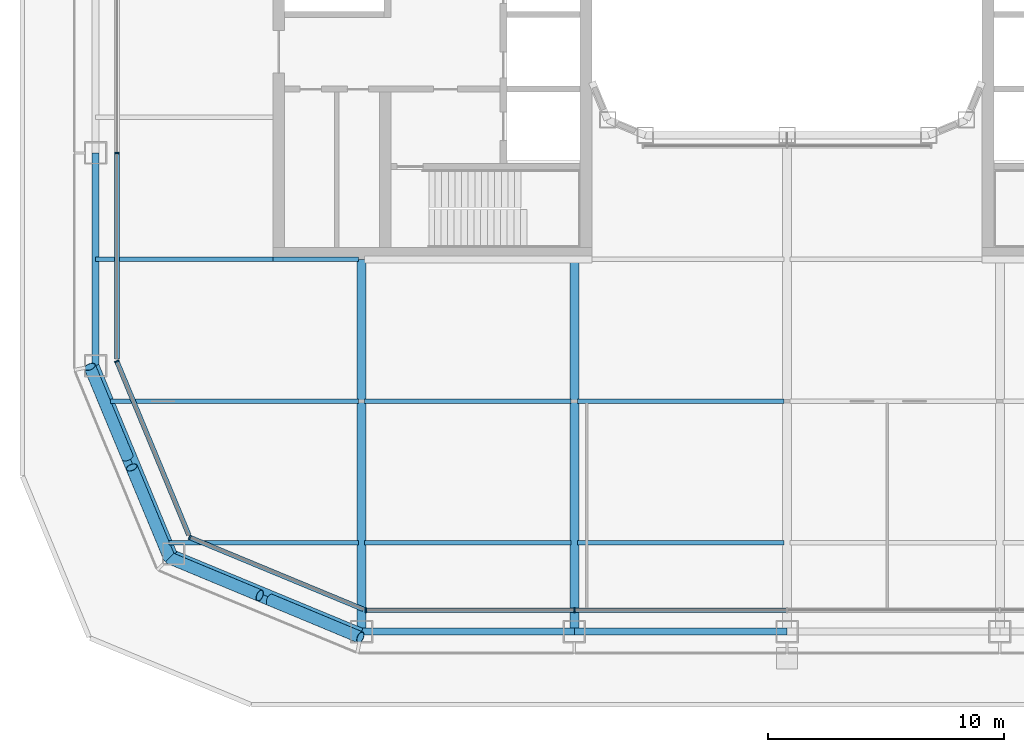
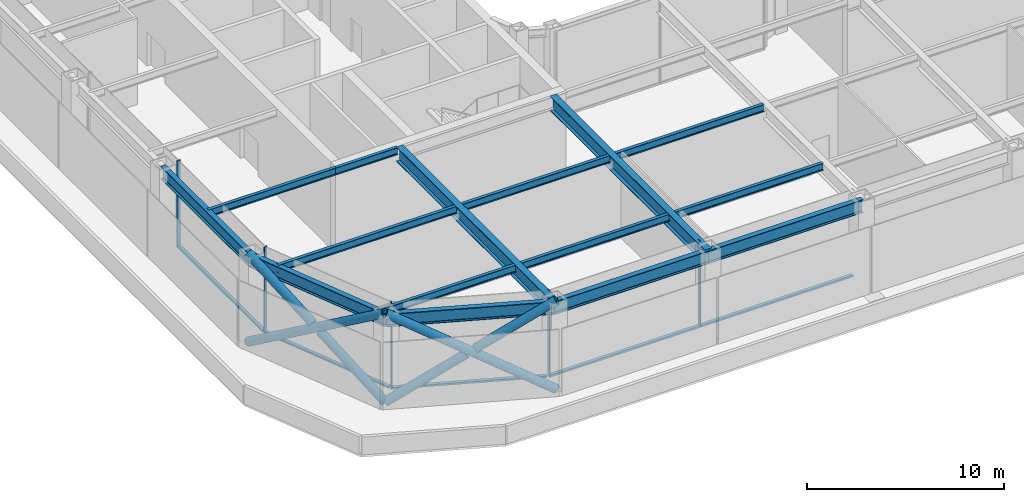
# One storey, part 2 of 21: 16 members, 15 beams, 4 elements without a shape of their own.
"""IFC4 building model written with IfcOpenShell, lengths in metres."""

import ifcopenshell
import ifcopenshell.guid

model = None  # the IFC model being written
_history = None  # IfcOwnerHistory: only IFC2X3 demands one
_inside = {}  # id of a spatial element -> (the spatial element, [elements in it])
_under = {}  # id of a project, library or spatial element -> (it, [spatial elements below it])
_declared = {}  # id of a project -> (the project, [libraries it declares])
_typed = {}  # id of a type object -> (the type object, [elements of that type])
_made_of = {}  # id of a material, layer set ... -> (it, [elements and type objects made of it])


def new_model(schema):
    """Start an empty IFC model of exactly this schema.

    Asked for "IFC4X3", IfcOpenShell would pick the latest addendum, in which some entities
    have other attributes; the version numbers below select the first issue.
    IFC2X3 requires an IfcOwnerHistory on every rooted entity: one is made here for all.
    """
    global model, _history
    if schema == "IFC4X3":
        model = ifcopenshell.file(schema_version=(4, 3, 0, 0))
    else:
        model = ifcopenshell.file(schema=schema)
    _inside.clear()
    _under.clear()
    _declared.clear()
    _typed.clear()
    _made_of.clear()
    _history = None
    if model.schema == "IFC2X3":
        org = make("IfcOrganization", Name="unknown")
        user = make(
            "IfcPersonAndOrganization",
            ThePerson=make("IfcPerson", FamilyName="unknown"),
            TheOrganization=org,
        )
        app = make(
            "IfcApplication",
            ApplicationDeveloper=org,
            Version="unknown",
            ApplicationFullName="unknown",
            ApplicationIdentifier="unknown",
        )
        _history = make(
            "IfcOwnerHistory",
            OwningUser=user,
            OwningApplication=app,
            ChangeAction="ADDED",
            CreationDate=0,
        )
    return model


def make(cls, **values):
    """One entity of the class cls with the attributes given. An attribute that is None is left unset."""
    return model.create_entity(
        cls, **{name: value for name, value in values.items() if value is not None}
    )


def rooted(cls, **values):
    """An entity with a GlobalId (a new one), such as an element, a storey or a relation."""
    return make(cls, GlobalId=ifcopenshell.guid.new(), OwnerHistory=_history, **values)


def si_unit(unit_type, name, prefix=None):
    """IfcSIUnit, for example si_unit("LENGTHUNIT", "METRE", prefix="MILLI")."""
    return make("IfcSIUnit", UnitType=unit_type, Prefix=prefix, Name=name)


def assignment(units):
    """IfcUnitAssignment: the units of a project."""
    return None if units is None else make("IfcUnitAssignment", Units=units)


def point(xyz):
    """IfcCartesianPoint."""
    return None if xyz is None else make("IfcCartesianPoint", Coordinates=xyz)


def direction(xyz):
    """IfcDirection."""
    return None if xyz is None else make("IfcDirection", DirectionRatios=xyz)


def frame(location, z_axis=None, x_axis=None):
    """IfcAxis2Placement3D, a coordinate frame: its origin and axes. An axis left out is left unset."""
    return make(
        "IfcAxis2Placement3D",
        Location=point(location),
        Axis=direction(z_axis),
        RefDirection=direction(x_axis),
    )


def frame_2d(location, x_axis=None):
    """IfcAxis2Placement2D, a coordinate frame in the plane: its origin and x axis."""
    return make(
        "IfcAxis2Placement2D", Location=point(location), RefDirection=direction(x_axis)
    )


def origin():
    """The frame at (0, 0, 0) with its axes left unset."""
    return frame((0.0, 0.0, 0.0))


def origin_2d():
    """The frame at (0, 0) in the plane with its x axis left unset."""
    return frame_2d((0.0, 0.0))


def place(relative_to, where):
    """IfcLocalPlacement: puts the frame where relative to a parent placement (None: the world)."""
    return make(
        "IfcLocalPlacement", PlacementRelTo=relative_to, RelativePlacement=where
    )


def context(
    kind, dimensions, precision=None, world=None, true_north=None, identifier=None
):
    """IfcGeometricRepresentationContext, for example the 3D "Model" context."""
    return make(
        "IfcGeometricRepresentationContext",
        ContextIdentifier=identifier,
        ContextType=kind,
        CoordinateSpaceDimension=dimensions,
        Precision=precision,
        WorldCoordinateSystem=world,
        TrueNorth=true_north,
    )


def subcontext(parent, identifier, kind, view, scale=None):
    """IfcGeometricRepresentationSubContext, for example "Body" below "Model"."""
    return make(
        "IfcGeometricRepresentationSubContext",
        ContextIdentifier=identifier,
        ContextType=kind,
        ParentContext=parent,
        TargetScale=scale,
        TargetView=view,
    )


def project(units=None, contexts=None):
    """IfcProject with its units and contexts."""
    return rooted(
        "IfcProject",
        Name="project",
        RepresentationContexts=contexts,
        UnitsInContext=assignment(units),
    )


def spatial(cls, under=None, at=None, **own):
    """A site, building, storey or space (cls), placed at a placement, below another one or the project."""
    s = rooted(cls, ObjectPlacement=at, **own)
    if under is not None:
        _under.setdefault(under.id(), (under, []))[1].append(s)
    return s


def profile(cls, at=None, kind="AREA", **sizes):
    """A parametric profile (cls). Its sizes go by their IFC names, for example OverallWidth=200.0."""
    return make(cls, ProfileType=kind, Position=at, **sizes)


def rectangle(**sizes):
    """IfcRectangleProfileDef."""
    return profile("IfcRectangleProfileDef", **sizes)


def hollow_circle(**sizes):
    """IfcCircleHollowProfileDef."""
    return profile("IfcCircleHollowProfileDef", **sizes)


def i_section(**sizes):
    """IfcIShapeProfileDef."""
    return profile("IfcIShapeProfileDef", **sizes)


def extrude(swept, where, along, depth):
    """IfcExtrudedAreaSolid: the profile swept, set in the frame where, extruded along a direction by depth."""
    return make(
        "IfcExtrudedAreaSolid",
        SweptArea=swept,
        Position=where,
        ExtrudedDirection=direction(along),
        Depth=depth,
    )


def shape(context_of_items, identifier, shape_type, items):
    """IfcShapeRepresentation: the items that make up one representation, for example the "Body"."""
    return make(
        "IfcShapeRepresentation",
        ContextOfItems=context_of_items,
        RepresentationIdentifier=identifier,
        RepresentationType=shape_type,
        Items=items,
    )


def material(Name=None, Category=None):
    """IfcMaterial."""
    return make("IfcMaterial", Name=Name, Category=Category)


def layer(
    of_material, thickness, ventilated=None, Name=None, Category=None, Priority=None
):
    """IfcMaterialLayer: one layer of a wall or slab, of a material (None: an air gap)."""
    return make(
        "IfcMaterialLayer",
        Material=of_material,
        LayerThickness=thickness,
        IsVentilated=ventilated,
        Name=Name,
        Category=Category,
        Priority=Priority,
    )


def layer_set(layers, Name=None):
    """IfcMaterialLayerSet."""
    return make("IfcMaterialLayerSet", MaterialLayers=layers, LayerSetName=Name)


def material_profile(
    of_material, cross_section, Name=None, Category=None, Priority=None
):
    """IfcMaterialProfile: a cross section and its material."""
    return make(
        "IfcMaterialProfile",
        Name=Name,
        Material=of_material,
        Profile=cross_section,
        Priority=Priority,
        Category=Category,
    )


def profile_set(profiles, Name=None, composite=None):
    """IfcMaterialProfileSet."""
    return make(
        "IfcMaterialProfileSet",
        Name=Name,
        MaterialProfiles=profiles,
        CompositeProfile=composite,
    )


def made_of(thing, what):
    """Note that an element or type object is made of a material, layer set ...; save() writes the relation."""
    if what is not None:
        _made_of.setdefault(what.id(), (what, []))[1].append(thing)
    return thing


def type_object(cls, material=None, **own):
    """A type object (cls), such as IfcWallType, which elements share."""
    return made_of(rooted(cls, **own), material)


def element(
    cls,
    number,
    at=None,
    inside=None,
    cuts=None,
    type_object=None,
    material=None,
    context=None,
    identifier="Body",
    shape_type=None,
    held_by="IfcProductDefinitionShape",
    body=None,
    shapes=None,
    **own,
):
    """One element of the class cls, such as IfcWall. Its Tag is "e" and its number.

    at: its placement. inside: the storey or other place that contains it. cuts: it is an
    opening in that element (IfcRelVoidsElement). A single representation is given by context,
    identifier, shape_type and body (its items); several are given by shapes. held_by: the class
    of the entity that holds the representations. save() writes the other relations.
    """
    e = rooted(cls, Tag="e%d" % number, ObjectPlacement=at, **own)
    if body is not None:
        shapes = [shape(context, identifier, shape_type, body)]
    if shapes is not None:
        e.Representation = make(held_by, Representations=shapes)
    if inside is not None:
        _inside.setdefault(inside.id(), (inside, []))[1].append(e)
    if cuts is not None:
        rooted(
            "IfcRelVoidsElement", RelatingBuildingElement=cuts, RelatedOpeningElement=e
        )
    if type_object is not None:
        _typed.setdefault(type_object.id(), (type_object, []))[1].append(e)
    return made_of(e, material)


def aggregate(whole, parts):
    """IfcRelAggregates: a whole, such as a stair, and the parts it consists of."""
    return rooted("IfcRelAggregates", RelatingObject=whole, RelatedObjects=parts)


def save(model, path):
    """Write the relations noted so far, then the file.

    IfcRelAggregates (storeys below a building ...), IfcRelContainedInSpatialStructure (elements
    in a storey), IfcRelDefinesByType, IfcRelAssociatesMaterial and IfcRelDeclares: one each for
    every whole, place, type object, material and project.
    """
    for whole, parts in _under.values():
        aggregate(whole, parts)
    for where, things in _inside.values():
        rooted(
            "IfcRelContainedInSpatialStructure",
            RelatedElements=things,
            RelatingStructure=where,
        )
    for kind, things in _typed.values():
        rooted("IfcRelDefinesByType", RelatedObjects=things, RelatingType=kind)
    for what, things in _made_of.values():
        rooted("IfcRelAssociatesMaterial", RelatedObjects=things, RelatingMaterial=what)
    for by, libraries in _declared.values():
        rooted("IfcRelDeclares", RelatingContext=by, RelatedDefinitions=libraries)
    model.write(path)


model = new_model("IFC4")

# Units and contexts
model_context = context("Model", 3, precision=1e-05, world=origin(), true_north=direction((0.0, 1.0)))
body_context = subcontext(model_context, "Body", "Model", "MODEL_VIEW")
ifc_project = project(units=[si_unit("LENGTHUNIT", "METRE"), si_unit("AREAUNIT", "SQUARE_METRE"), si_unit("VOLUMEUNIT", "CUBIC_METRE"), si_unit("PLANEANGLEUNIT", "RADIAN"), si_unit("MASSUNIT", "GRAM", prefix="KILO")], contexts=[model_context])

# Site, building, storey
site_placement = place(None, origin())
site = spatial("IfcSite", under=ifc_project, at=site_placement, CompositionType="ELEMENT")
building_placement = place(site_placement, origin())
building = spatial("IfcBuilding", under=site, at=building_placement, Name="Siwar Civic Tower", CompositionType="ELEMENT")
storey_placement = place(building_placement, frame((0.0, 0.0, 99.199951171875)))
storey = spatial("IfcBuildingStorey", under=building, at=storey_placement, Name="L21", CompositionType="ELEMENT", Elevation=99.199951171875)

# Curtain wall, members
ifc_material_1 = material(Name="Aluminium and glass", Category="aluminium")
ifc_layer_1 = layer(ifc_material_1, 0.199951171875)
ifc_layer_set_1 = layer_set([ifc_layer_1], Name="Aluminium and glass")
curtain_wall_type_1 = type_object("IfcCurtainWallType", Name="ENV-CW-B", PredefinedType="NOTDEFINED", material=ifc_layer_set_1)
curtain_wall_1_placement = place(storey_placement, origin())
curtain_wall_1 = element("IfcCurtainWall", 1, at=curtain_wall_1_placement, inside=storey, type_object=curtain_wall_type_1, Name="Curtain wall B S", PredefinedType="NOTDEFINED")
ifc_material_2 = material(Name="Aluminium 6063-T6", Category="aluminium")
ifc_material_profile_1 = material_profile(ifc_material_2, rectangle(XDim=0.199951171875, YDim=0.06494140625, at=origin_2d()), Name="AL 200x65")
ifc_profile_set_1 = profile_set([ifc_material_profile_1], Name="Aluminium 6063-T6")
member_type_1 = type_object("IfcMemberType", Name="ENV-MULLION-B", PredefinedType="MULLION", material=ifc_profile_set_1)
member_1_placement = place(storey_placement, frame((-17.821044921875, -28.35009765625, 0.0), z_axis=(0.0, 0.0, 1.0), x_axis=(0.0, 1.0, 0.0)))
member_1 = element("IfcMember", 2, at=member_1_placement, type_object=member_type_1, Name="Mullion B S 1", PredefinedType="MULLION", context=body_context, shape_type="SweptSolid", body=[
    extrude(rectangle(XDim=0.199951171875, YDim=0.06494140625, at=origin_2d()), origin(), (0.0, 0.0, 1.0), 5.35009765625),
])
member_2_placement = place(storey_placement, frame((-9.0, -28.35009765625, 0.0), z_axis=(0.0, 0.0, 1.0), x_axis=(0.0, 1.0, 0.0)))
member_2 = element("IfcMember", 3, at=member_2_placement, type_object=member_type_1, Name="Mullion B S 2", PredefinedType="MULLION", context=body_context, shape_type="SweptSolid", body=[
    extrude(rectangle(XDim=0.199951171875, YDim=0.06494140625, at=origin_2d()), origin(), (0.0, 0.0, 1.0), 5.35009765625),
])

# Curtain wall, member
curtain_wall_2_placement = place(storey_placement, origin())
curtain_wall_2 = element("IfcCurtainWall", 4, at=curtain_wall_2_placement, inside=storey, type_object=curtain_wall_type_1, Name="Curtain wall B W", PredefinedType="NOTDEFINED")
member_3_placement = place(storey_placement, frame((-28.35009765625, -9.0, 0.0), z_axis=(0.0, 0.0, 1.0), x_axis=(1.0, 0.0, 0.0)))
member_3 = element("IfcMember", 5, at=member_3_placement, type_object=member_type_1, Name="Mullion B W 4", PredefinedType="MULLION", context=body_context, shape_type="SweptSolid", body=[
    extrude(rectangle(XDim=0.199951171875, YDim=0.06494140625, at=origin_2d()), origin(), (0.0, 0.0, 1.0), 5.35009765625),
])

ifc_material_3 = material(Name="Aluminium clad insulated panel", Category="aluminium")
ifc_layer_2 = layer(ifc_material_3, 0.199951171875)
ifc_layer_set_2 = layer_set([ifc_layer_2], Name="Aluminium clad insulated panel")
curtain_wall_type_2 = type_object("IfcCurtainWallType", Name="ENV-CW-BX", PredefinedType="NOTDEFINED", material=ifc_layer_set_2)
curtain_wall_3_placement = place(storey_placement, origin())
curtain_wall_3 = element("IfcCurtainWall", 6, at=curtain_wall_3_placement, inside=storey, type_object=curtain_wall_type_2, Name="Curtain wall B SW1", PredefinedType="NOTDEFINED")
member_4_placement = place(storey_placement, frame((-28.35009765625, -17.821044921875, 0.0), z_axis=(0.0, 0.0, 1.0), x_axis=(0.923879532511, 0.382683432365, 0.0)))
member_4 = element("IfcMember", 7, at=member_4_placement, type_object=member_type_1, Name="Mullion B SW1 1", PredefinedType="MULLION", context=body_context, shape_type="SweptSolid", body=[
    extrude(rectangle(XDim=0.199951171875, YDim=0.06494140625, at=origin_2d()), origin(), (0.0, 0.0, 1.0), 5.35009765625),
])

curtain_wall_4_placement = place(storey_placement, origin())
curtain_wall_4 = element("IfcCurtainWall", 8, at=curtain_wall_4_placement, inside=storey, type_object=curtain_wall_type_2, Name="Curtain wall B SW2", PredefinedType="NOTDEFINED")
member_5_placement = place(storey_placement, frame((-25.26611328125, -25.26611328125, 0.0), z_axis=(0.0, 0.0, 1.0), x_axis=(0.382683432365, 0.923879532511, 0.0)))
member_5 = element("IfcMember", 9, at=member_5_placement, type_object=member_type_1, Name="Mullion B SW2 1", PredefinedType="MULLION", context=body_context, shape_type="SweptSolid", body=[
    extrude(rectangle(XDim=0.199951171875, YDim=0.06494140625, at=origin_2d()), origin(), (0.0, 0.0, 1.0), 5.35009765625),
])

# Member
ifc_material_4 = material(Name="Aluminium 6063-T6", Category="aluminium")
ifc_material_profile_2 = material_profile(ifc_material_4, rectangle(XDim=0.199951171875, YDim=0.110107421875, at=origin_2d()), Name="AL 200x110")
ifc_profile_set_2 = profile_set([ifc_material_profile_2], Name="Aluminium 6063-T6")
member_type_2 = type_object("IfcMemberType", Name="ENV-TRANSOM-B", PredefinedType="USERDEFINED", material=ifc_profile_set_2)
member_6_placement = place(storey_placement, frame((-17.78857421875, -28.35009765625, 0.054931640625), z_axis=(1.0, 0.0, 0.0), x_axis=(0.0, 1.0, 0.0)))
member_6 = element("IfcMember", 10, at=member_6_placement, type_object=member_type_2, Name="Transom B S 1", ObjectType="TRANSOM", PredefinedType="USERDEFINED", context=body_context, shape_type="SweptSolid", body=[
    extrude(rectangle(XDim=0.199951171875, YDim=0.110107421875, at=origin_2d()), origin(), (0.0, 0.0, 1.0), 8.756103515625),
])

member_7_placement = place(storey_placement, frame((-8.967529296875, -28.35009765625, 0.054931640625), z_axis=(1.0, 0.0, 0.0), x_axis=(0.0, 1.0, 0.0)))
member_7 = element("IfcMember", 11, at=member_7_placement, type_object=member_type_2, Name="Transom B S 2", ObjectType="TRANSOM", PredefinedType="USERDEFINED", context=body_context, shape_type="SweptSolid", body=[
    extrude(rectangle(XDim=0.199951171875, YDim=0.110107421875, at=origin_2d()), origin(), (0.0, 0.0, 1.0), 8.93505859375),
])

aggregate(curtain_wall_1, [member_1, member_2, member_6, member_7])

member_8_placement = place(storey_placement, frame((-28.35009765625, -9.032470703125, 0.054931640625), z_axis=(0.0, -1.0, 0.0), x_axis=(1.0, 0.0, 0.0)))
member_8 = element("IfcMember", 12, at=member_8_placement, type_object=member_type_2, Name="Transom B W 4", ObjectType="TRANSOM", PredefinedType="USERDEFINED", context=body_context, shape_type="SweptSolid", body=[
    extrude(rectangle(XDim=0.199951171875, YDim=0.110107421875, at=origin_2d()), origin(), (0.0, 0.0, 1.0), 8.6748046875),
])

aggregate(curtain_wall_2, [member_3, member_8])

member_9_placement = place(storey_placement, frame((-28.337646484375, -17.85107421875, 0.054931640625), z_axis=(0.382699695651, -0.92387279587, 0.0), x_axis=(0.92387279587, 0.382699695651, 0.0)))
member_9 = element("IfcMember", 13, at=member_9_placement, type_object=member_type_2, Name="Transom B SW1 1", ObjectType="TRANSOM", PredefinedType="USERDEFINED", context=body_context, shape_type="SweptSolid", body=[
    extrude(rectangle(XDim=0.199951171875, YDim=0.110107421875, at=origin_2d()), origin(), (0.0, 0.0, 1.0), 7.912353515625),
])

aggregate(curtain_wall_3, [member_4, member_9])

member_10_placement = place(storey_placement, frame((-25.236083984375, -25.278564453125, 0.054931640625), z_axis=(0.923883705044, -0.382673358825, 0.0), x_axis=(0.382673358825, 0.923883705044, 0.0)))
member_10 = element("IfcMember", 14, at=member_10_placement, type_object=member_type_2, Name="Transom B SW2 1", ObjectType="TRANSOM", PredefinedType="USERDEFINED", context=body_context, shape_type="SweptSolid", body=[
    extrude(rectangle(XDim=0.199951171875, YDim=0.110107421875, at=origin_2d()), origin(), (0.0, 0.0, 1.0), 7.912353515625),
])

aggregate(curtain_wall_4, [member_5, member_10])

# Members
ifc_material_5 = material(Name="Steel S355", Category="steel")
ifc_material_profile_3 = material_profile(ifc_material_5, hollow_circle(Radius=0.25390625, WallThickness=0.02490234375, at=origin_2d()), Name="CHS508x25")
ifc_profile_set_3 = profile_set([ifc_material_profile_3], Name="Steel S355")
member_type_3 = type_object("IfcMemberType", Name="STR-BR-CHS508x25", PredefinedType="BRACE", material=ifc_profile_set_3)
member_11_placement = place(storey_placement, frame((-18.048828125, -29.4951171875, 0.0), z_axis=(-0.781791416726, 0.325297769627, 0.531961974025), x_axis=(-0.384163874976, -0.923264922524, 0.0)))
element("IfcMember", 15, at=member_11_placement, inside=storey, type_object=member_type_3, Name="L21/brc/BSW1-0-0-1", PredefinedType="BRACE", context=body_context, shape_type="SweptSolid", body=[
    extrude(hollow_circle(Radius=0.25390625, WallThickness=0.02490234375, at=origin_2d()), origin(), (0.0, 0.0, 1.0), 10.339111328125),
])
member_12_placement = place(storey_placement, frame((-26.1318359375, -26.1318359375, 0.0), z_axis=(0.781798459077, -0.32528364531, 0.531960261183), x_axis=(0.38414670655, 0.923272065995, 0.0)))
element("IfcMember", 16, at=member_12_placement, inside=storey, type_object=member_type_3, Name="L21/brc/BSW1-0-0-2", PredefinedType="BRACE", context=body_context, shape_type="SweptSolid", body=[
    extrude(hollow_circle(Radius=0.25390625, WallThickness=0.02490234375, at=origin_2d()), origin(), (0.0, 0.0, 1.0), 4.892822265625),
])
member_13_placement = place(storey_placement, frame((-21.873779296875, -27.903564453125, 2.8974609375), z_axis=(0.781799810857, -0.325304970127, 0.531945234169), x_axis=(0.384167607428, 0.923263369469, 0.0)))
element("IfcMember", 17, at=member_13_placement, inside=storey, type_object=member_type_3, Name="L21/brc/BSW1-0-0-3", PredefinedType="BRACE", context=body_context, shape_type="SweptSolid", body=[
    extrude(hollow_circle(Radius=0.25390625, WallThickness=0.02490234375, at=origin_2d()), origin(), (0.0, 0.0, 1.0), 4.892578125),
])
member_14_placement = place(storey_placement, frame((-29.4951171875, -18.048828125, 0.0), z_axis=(0.325297769627, -0.781791416726, 0.531961974025), x_axis=(0.923264922524, 0.384163874976, 0.0)))
element("IfcMember", 18, at=member_14_placement, inside=storey, type_object=member_type_3, Name="L21/brc/BSW1-0-0-0", PredefinedType="BRACE", context=body_context, shape_type="SweptSolid", body=[
    extrude(hollow_circle(Radius=0.25390625, WallThickness=0.02490234375, at=origin_2d()), origin(), (0.0, 0.0, 1.0), 10.339111328125),
])
member_15_placement = place(storey_placement, frame((-26.1318359375, -26.1318359375, 0.0), z_axis=(-0.32528364531, 0.781798459077, 0.531960261183), x_axis=(-0.923272065995, -0.38414670655, 0.0)))
element("IfcMember", 19, at=member_15_placement, inside=storey, type_object=member_type_3, Name="L21/brc/BSW1-0-0-4", PredefinedType="BRACE", context=body_context, shape_type="SweptSolid", body=[
    extrude(hollow_circle(Radius=0.25390625, WallThickness=0.02490234375, at=origin_2d()), origin(), (0.0, 0.0, 1.0), 4.892822265625),
])
member_16_placement = place(storey_placement, frame((-27.903564453125, -21.873779296875, 2.8974609375), z_axis=(-0.325304970127, 0.781799810857, 0.531945234169), x_axis=(-0.923263369469, -0.384167607428, 0.0)))
element("IfcMember", 20, at=member_16_placement, inside=storey, type_object=member_type_3, Name="L21/brc/BSW1-0-0-5", PredefinedType="BRACE", context=body_context, shape_type="SweptSolid", body=[
    extrude(hollow_circle(Radius=0.25390625, WallThickness=0.02490234375, at=origin_2d()), origin(), (0.0, 0.0, 1.0), 4.892578125),
])

# Beams
ifc_material_6 = material(Name="Steel S355", Category="steel")
ifc_material_profile_4 = material_profile(ifc_material_6, i_section(OverallWidth=0.18994140625, OverallDepth=0.449951171875, WebThickness=0.009521484375, FlangeThickness=0.0146484375, FilletRadius=0.02099609375, at=origin_2d()), Name="IPE450")
ifc_profile_set_4 = profile_set([ifc_material_profile_4], Name="Steel S355")
beam_type_1 = type_object("IfcBeamType", Name="STR-FB-IPE450", PredefinedType="JOIST", material=ifc_profile_set_4)
beam_1_placement = place(storey_placement, frame((-26.143310546875, -25.5, 5.125), z_axis=(1.0, 0.0, 0.0), x_axis=(0.0, 1.0, 0.0)))
element("IfcBeam", 21, at=beam_1_placement, inside=storey, type_object=beam_type_1, Name="L21/bm/F001", PredefinedType="JOIST", context=body_context, shape_type="SweptSolid", body=[
    extrude(i_section(OverallWidth=0.18994140625, OverallDepth=0.449951171875, WebThickness=0.009521484375, FlangeThickness=0.0146484375, FilletRadius=0.02099609375, at=origin_2d()), origin(), (0.0, 0.0, 1.0), 8.013427734375),
])
for number, where, z_axis, x_axis, name in (
    (22, (-17.8701171875, -25.5, 5.125), (1.0, 0.0, 0.0), (0.0, 1.0, 0.0), "L21/bm/F002"),
    (23, (-8.8701171875, -25.5, 5.125), (1.0, 0.0, 0.0), (0.0, 1.0, 0.0), "L21/bm/F003"),
):
    element("IfcBeam", number, at=place(storey_placement, frame(where, z_axis=z_axis, x_axis=x_axis)), inside=storey, type_object=beam_type_1, Name=name, PredefinedType="JOIST", context=body_context, shape_type="SweptSolid", body=[
        extrude(i_section(OverallWidth=0.18994140625, OverallDepth=0.449951171875, WebThickness=0.009521484375, FlangeThickness=0.0146484375, FilletRadius=0.02099609375, at=origin_2d()), origin(), (0.0, 0.0, 1.0), 8.740234375),
    ])
beam_2_placement = place(storey_placement, frame((-28.628662109375, -19.5, 5.125), z_axis=(1.0, 0.0, 0.0), x_axis=(0.0, 1.0, 0.0)))
element("IfcBeam", 24, at=beam_2_placement, inside=storey, type_object=beam_type_1, Name="L21/bm/F007", PredefinedType="JOIST", context=body_context, shape_type="SweptSolid", body=[
    extrude(i_section(OverallWidth=0.18994140625, OverallDepth=0.449951171875, WebThickness=0.009521484375, FlangeThickness=0.0146484375, FilletRadius=0.02099609375, at=origin_2d()), origin(), (0.0, 0.0, 1.0), 10.498779296875),
])
for number, where, z_axis, x_axis, name in (
    (25, (-17.8701171875, -19.5, 5.125), (1.0, 0.0, 0.0), (0.0, 1.0, 0.0), "L21/bm/F008"),
    (26, (-8.8701171875, -19.5, 5.125), (1.0, 0.0, 0.0), (0.0, 1.0, 0.0), "L21/bm/F009"),
):
    element("IfcBeam", number, at=place(storey_placement, frame(where, z_axis=z_axis, x_axis=x_axis)), inside=storey, type_object=beam_type_1, Name=name, PredefinedType="JOIST", context=body_context, shape_type="SweptSolid", body=[
        extrude(i_section(OverallWidth=0.18994140625, OverallDepth=0.449951171875, WebThickness=0.009521484375, FlangeThickness=0.0146484375, FilletRadius=0.02099609375, at=origin_2d()), origin(), (0.0, 0.0, 1.0), 8.740234375),
    ])
beam_3_placement = place(storey_placement, frame((-29.25, -13.5, 5.125), z_axis=(1.0, 0.0, 0.0), x_axis=(0.0, 1.0, 0.0)))
element("IfcBeam", 27, at=beam_3_placement, inside=storey, type_object=beam_type_1, Name="L21/bm/F013", PredefinedType="JOIST", context=body_context, shape_type="SweptSolid", body=[
    extrude(i_section(OverallWidth=0.18994140625, OverallDepth=0.449951171875, WebThickness=0.009521484375, FlangeThickness=0.0146484375, FilletRadius=0.02099609375, at=origin_2d()), origin(), (0.0, 0.0, 1.0), 7.5),
])
beam_4_placement = place(storey_placement, frame((-21.75, -13.5, 5.125), z_axis=(1.0, 0.0, 0.0), x_axis=(0.0, 1.0, 0.0)))
element("IfcBeam", 28, at=beam_4_placement, inside=storey, type_object=beam_type_1, Name="L21/bm/F014", PredefinedType="JOIST", context=body_context, shape_type="SweptSolid", body=[
    extrude(i_section(OverallWidth=0.18994140625, OverallDepth=0.449951171875, WebThickness=0.009521484375, FlangeThickness=0.0146484375, FilletRadius=0.02099609375, at=origin_2d()), origin(), (0.0, 0.0, 1.0), 3.6201171875),
])
ifc_material_7 = material(Name="Steel S355", Category="steel")
ifc_material_profile_5 = material_profile(ifc_material_7, i_section(OverallWidth=0.3798828125, OverallDepth=0.89990234375, WebThickness=0.01611328125, FlangeThickness=0.035888671875, at=origin_2d()), Name="PG900x380x16x36")
ifc_profile_set_5 = profile_set([ifc_material_profile_5], Name="Steel S355")
beam_type_2 = type_object("IfcBeamType", Name="STR-PG-PG900x380x16x36", PredefinedType="BEAM", material=ifc_profile_set_5)
for number, where, z_axis, x_axis, name in (
    (29, (-18.0, -29.25, 4.900146484375), (0.0, 1.0, 0.0), (-1.0, 0.0, 0.0), "L21/bm/G01"),
    (30, (-9.0, -29.25, 4.900146484375), (0.0, 1.0, 0.0), (-1.0, 0.0, 0.0), "L21/bm/G03"),
):
    element("IfcBeam", number, at=place(storey_placement, frame(where, z_axis=z_axis, x_axis=x_axis)), inside=storey, type_object=beam_type_2, Name=name, PredefinedType="BEAM", context=body_context, shape_type="SweptSolid", body=[
        extrude(i_section(OverallWidth=0.3798828125, OverallDepth=0.89990234375, WebThickness=0.01611328125, FlangeThickness=0.035888671875, at=origin_2d()), origin(), (0.0, 0.0, 1.0), 15.75),
    ])
ifc_material_8 = material(Name="Steel S355", Category="steel")
ifc_material_profile_6 = material_profile(ifc_material_8, i_section(OverallWidth=0.300048828125, OverallDepth=0.800048828125, WebThickness=0.017578125, FlangeThickness=0.032958984375, FilletRadius=0.030029296875, at=origin_2d()), Name="HEB800")
ifc_profile_set_6 = profile_set([ifc_material_profile_6], Name="Steel S355")
beam_type_3 = type_object("IfcBeamType", Name="STR-SB-HEB800", PredefinedType="BEAM", material=ifc_profile_set_6)
for number, where, z_axis, x_axis, name in (
    (31, (-18.0, -29.25, 4.949951171875), (1.0, 0.0, 0.0), (0.0, 1.0, 0.0), "L21/bm/SS-0"),
    (32, (-9.0, -29.25, 4.949951171875), (1.0, 0.0, 0.0), (0.0, 1.0, 0.0), "L21/bm/SS-1"),
    (33, (-29.25, -9.0, 4.949951171875), (0.0, -1.0, 0.0), (1.0, 0.0, 0.0), "L21/bm/SW-3"),
):
    element("IfcBeam", number, at=place(storey_placement, frame(where, z_axis=z_axis, x_axis=x_axis)), inside=storey, type_object=beam_type_3, Name=name, PredefinedType="BEAM", context=body_context, shape_type="SweptSolid", body=[
        extrude(i_section(OverallWidth=0.300048828125, OverallDepth=0.800048828125, WebThickness=0.017578125, FlangeThickness=0.032958984375, FilletRadius=0.030029296875, at=origin_2d()), origin(), (0.0, 0.0, 1.0), 9.0),
    ])
for number, where, z_axis, x_axis, name in (
    (34, (-29.25, -18.0, 4.949951171875), (0.382699877515, -0.923872720536, 0.0), (0.923872720536, 0.382699877515, 0.0), "L21/bm/SSW1-0"),
    (35, (-25.954833984375, -25.954833984375, 4.949951171875), (0.923872720536, -0.382699877515, 0.0), (0.382699877515, 0.923872720536, 0.0), "L21/bm/SSW2-0"),
):
    element("IfcBeam", number, at=place(storey_placement, frame(where, z_axis=z_axis, x_axis=x_axis)), inside=storey, type_object=beam_type_3, Name=name, PredefinedType="BEAM", context=body_context, shape_type="SweptSolid", body=[
        extrude(i_section(OverallWidth=0.300048828125, OverallDepth=0.800048828125, WebThickness=0.017578125, FlangeThickness=0.032958984375, FilletRadius=0.030029296875, at=origin_2d()), origin(), (0.0, 0.0, 1.0), 8.6103515625),
    ])

save(model, "model.ifc")
